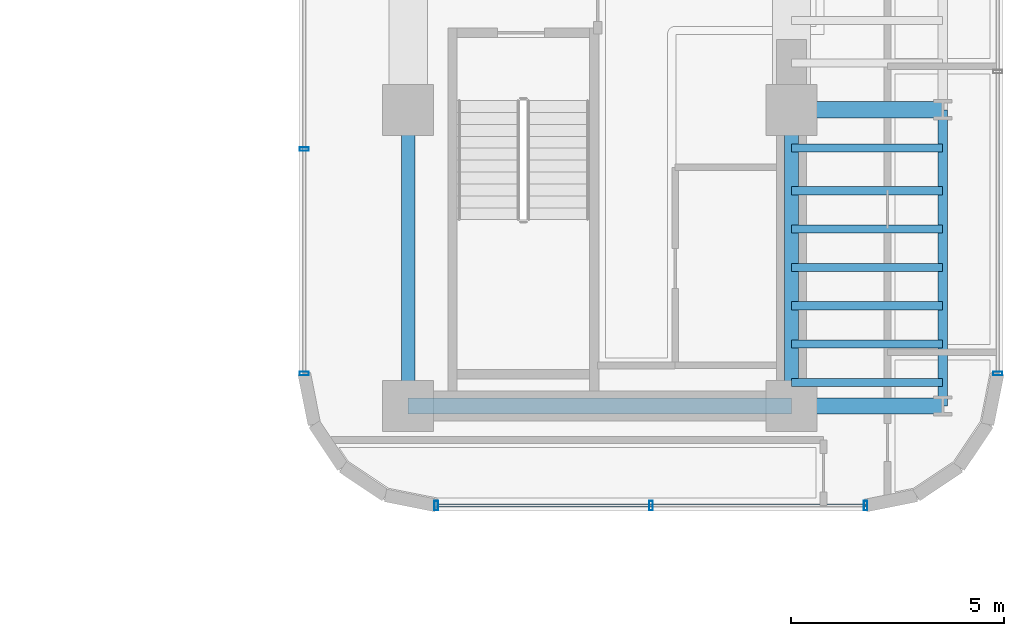
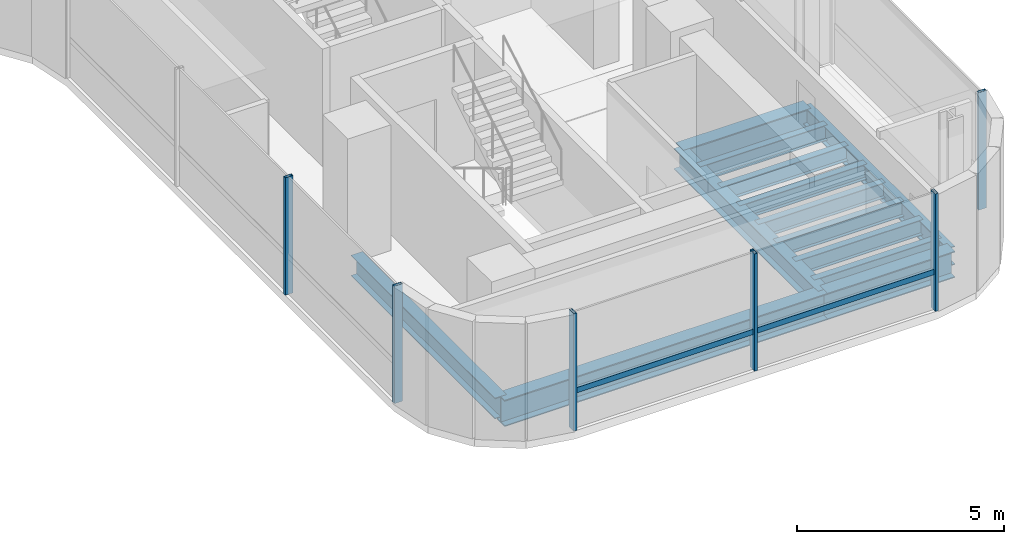
# One storey, part 11 of 35: 13 beams, 7 members, 3 elements without a shape of their own.
"""IFC4 building model written with IfcOpenShell, lengths in metres."""

import ifcopenshell
import ifcopenshell.guid

model = None  # the IFC model being written
_history = None  # IfcOwnerHistory: only IFC2X3 demands one
_inside = {}  # id of a spatial element -> (the spatial element, [elements in it])
_under = {}  # id of a project, library or spatial element -> (it, [spatial elements below it])
_declared = {}  # id of a project -> (the project, [libraries it declares])
_typed = {}  # id of a type object -> (the type object, [elements of that type])
_made_of = {}  # id of a material, layer set ... -> (it, [elements and type objects made of it])


def new_model(schema):
    """Start an empty IFC model of exactly this schema.

    Asked for "IFC4X3", IfcOpenShell would pick the latest addendum, in which some entities
    have other attributes; the version numbers below select the first issue.
    IFC2X3 requires an IfcOwnerHistory on every rooted entity: one is made here for all.
    """
    global model, _history
    if schema == "IFC4X3":
        model = ifcopenshell.file(schema_version=(4, 3, 0, 0))
    else:
        model = ifcopenshell.file(schema=schema)
    _inside.clear()
    _under.clear()
    _declared.clear()
    _typed.clear()
    _made_of.clear()
    _history = None
    if model.schema == "IFC2X3":
        org = make("IfcOrganization", Name="unknown")
        user = make(
            "IfcPersonAndOrganization",
            ThePerson=make("IfcPerson", FamilyName="unknown"),
            TheOrganization=org,
        )
        app = make(
            "IfcApplication",
            ApplicationDeveloper=org,
            Version="unknown",
            ApplicationFullName="unknown",
            ApplicationIdentifier="unknown",
        )
        _history = make(
            "IfcOwnerHistory",
            OwningUser=user,
            OwningApplication=app,
            ChangeAction="ADDED",
            CreationDate=0,
        )
    return model


def make(cls, **values):
    """One entity of the class cls with the attributes given. An attribute that is None is left unset."""
    return model.create_entity(
        cls, **{name: value for name, value in values.items() if value is not None}
    )


def rooted(cls, **values):
    """An entity with a GlobalId (a new one), such as an element, a storey or a relation."""
    return make(cls, GlobalId=ifcopenshell.guid.new(), OwnerHistory=_history, **values)


def si_unit(unit_type, name, prefix=None):
    """IfcSIUnit, for example si_unit("LENGTHUNIT", "METRE", prefix="MILLI")."""
    return make("IfcSIUnit", UnitType=unit_type, Prefix=prefix, Name=name)


def assignment(units):
    """IfcUnitAssignment: the units of a project."""
    return None if units is None else make("IfcUnitAssignment", Units=units)


def point(xyz):
    """IfcCartesianPoint."""
    return None if xyz is None else make("IfcCartesianPoint", Coordinates=xyz)


def direction(xyz):
    """IfcDirection."""
    return None if xyz is None else make("IfcDirection", DirectionRatios=xyz)


def frame(location, z_axis=None, x_axis=None):
    """IfcAxis2Placement3D, a coordinate frame: its origin and axes. An axis left out is left unset."""
    return make(
        "IfcAxis2Placement3D",
        Location=point(location),
        Axis=direction(z_axis),
        RefDirection=direction(x_axis),
    )


def frame_2d(location, x_axis=None):
    """IfcAxis2Placement2D, a coordinate frame in the plane: its origin and x axis."""
    return make(
        "IfcAxis2Placement2D", Location=point(location), RefDirection=direction(x_axis)
    )


def origin():
    """The frame at (0, 0, 0) with its axes left unset."""
    return frame((0.0, 0.0, 0.0))


def origin_2d():
    """The frame at (0, 0) in the plane with its x axis left unset."""
    return frame_2d((0.0, 0.0))


def place(relative_to, where):
    """IfcLocalPlacement: puts the frame where relative to a parent placement (None: the world)."""
    return make(
        "IfcLocalPlacement", PlacementRelTo=relative_to, RelativePlacement=where
    )


def context(
    kind, dimensions, precision=None, world=None, true_north=None, identifier=None
):
    """IfcGeometricRepresentationContext, for example the 3D "Model" context."""
    return make(
        "IfcGeometricRepresentationContext",
        ContextIdentifier=identifier,
        ContextType=kind,
        CoordinateSpaceDimension=dimensions,
        Precision=precision,
        WorldCoordinateSystem=world,
        TrueNorth=true_north,
    )


def subcontext(parent, identifier, kind, view, scale=None):
    """IfcGeometricRepresentationSubContext, for example "Body" below "Model"."""
    return make(
        "IfcGeometricRepresentationSubContext",
        ContextIdentifier=identifier,
        ContextType=kind,
        ParentContext=parent,
        TargetScale=scale,
        TargetView=view,
    )


def project(units=None, contexts=None):
    """IfcProject with its units and contexts."""
    return rooted(
        "IfcProject",
        Name="project",
        RepresentationContexts=contexts,
        UnitsInContext=assignment(units),
    )


def spatial(cls, under=None, at=None, **own):
    """A site, building, storey or space (cls), placed at a placement, below another one or the project."""
    s = rooted(cls, ObjectPlacement=at, **own)
    if under is not None:
        _under.setdefault(under.id(), (under, []))[1].append(s)
    return s


def profile(cls, at=None, kind="AREA", **sizes):
    """A parametric profile (cls). Its sizes go by their IFC names, for example OverallWidth=200.0."""
    return make(cls, ProfileType=kind, Position=at, **sizes)


def hollow_rectangle(**sizes):
    """IfcRectangleHollowProfileDef."""
    return profile("IfcRectangleHollowProfileDef", **sizes)


def i_section(**sizes):
    """IfcIShapeProfileDef."""
    return profile("IfcIShapeProfileDef", **sizes)


def extrude(swept, where, along, depth):
    """IfcExtrudedAreaSolid: the profile swept, set in the frame where, extruded along a direction by depth."""
    return make(
        "IfcExtrudedAreaSolid",
        SweptArea=swept,
        Position=where,
        ExtrudedDirection=direction(along),
        Depth=depth,
    )


def shape(context_of_items, identifier, shape_type, items):
    """IfcShapeRepresentation: the items that make up one representation, for example the "Body"."""
    return make(
        "IfcShapeRepresentation",
        ContextOfItems=context_of_items,
        RepresentationIdentifier=identifier,
        RepresentationType=shape_type,
        Items=items,
    )


def source(mapping_origin, context_of_items, identifier, shape_type, items):
    """IfcRepresentationMap: a shape defined once, which mapped items show again and again."""
    return make(
        "IfcRepresentationMap",
        MappingOrigin=mapping_origin,
        MappedRepresentation=shape(context_of_items, identifier, shape_type, items),
    )


def transform(
    local_origin,
    x_axis=None,
    y_axis=None,
    z_axis=None,
    scale=None,
    scale2=None,
    scale3=None,
    uniform=True,
):
    """IfcCartesianTransformationOperator3D, or its non-uniform kind. x_axis, y_axis, z_axis: its Axis1, 2, 3."""
    if uniform:
        return make(
            "IfcCartesianTransformationOperator3D",
            Axis1=direction(x_axis),
            Axis2=direction(y_axis),
            LocalOrigin=point(local_origin),
            Scale=scale,
            Axis3=direction(z_axis),
        )
    return make(
        "IfcCartesianTransformationOperator3DnonUniform",
        Axis1=direction(x_axis),
        Axis2=direction(y_axis),
        LocalOrigin=point(local_origin),
        Scale=scale,
        Axis3=direction(z_axis),
        Scale2=scale2,
        Scale3=scale3,
    )


def mapped(mapping_source, mapping_target):
    """IfcMappedItem: shows the shape of a source again, moved by a transform."""
    return make(
        "IfcMappedItem", MappingSource=mapping_source, MappingTarget=mapping_target
    )


def material(Name=None, Category=None):
    """IfcMaterial."""
    return make("IfcMaterial", Name=Name, Category=Category)


def material_profile(
    of_material, cross_section, Name=None, Category=None, Priority=None
):
    """IfcMaterialProfile: a cross section and its material."""
    return make(
        "IfcMaterialProfile",
        Name=Name,
        Material=of_material,
        Profile=cross_section,
        Priority=Priority,
        Category=Category,
    )


def profile_set(profiles, Name=None, composite=None):
    """IfcMaterialProfileSet."""
    return make(
        "IfcMaterialProfileSet",
        Name=Name,
        MaterialProfiles=profiles,
        CompositeProfile=composite,
    )


def made_of(thing, what):
    """Note that an element or type object is made of a material, layer set ...; save() writes the relation."""
    if what is not None:
        _made_of.setdefault(what.id(), (what, []))[1].append(thing)
    return thing


def type_object(cls, material=None, **own):
    """A type object (cls), such as IfcWallType, which elements share."""
    return made_of(rooted(cls, **own), material)


def element(
    cls,
    number,
    at=None,
    inside=None,
    cuts=None,
    type_object=None,
    material=None,
    context=None,
    identifier="Body",
    shape_type=None,
    held_by="IfcProductDefinitionShape",
    body=None,
    shapes=None,
    **own,
):
    """One element of the class cls, such as IfcWall. Its Tag is "e" and its number.

    at: its placement. inside: the storey or other place that contains it. cuts: it is an
    opening in that element (IfcRelVoidsElement). A single representation is given by context,
    identifier, shape_type and body (its items); several are given by shapes. held_by: the class
    of the entity that holds the representations. save() writes the other relations.
    """
    e = rooted(cls, Tag="e%d" % number, ObjectPlacement=at, **own)
    if body is not None:
        shapes = [shape(context, identifier, shape_type, body)]
    if shapes is not None:
        e.Representation = make(held_by, Representations=shapes)
    if inside is not None:
        _inside.setdefault(inside.id(), (inside, []))[1].append(e)
    if cuts is not None:
        rooted(
            "IfcRelVoidsElement", RelatingBuildingElement=cuts, RelatedOpeningElement=e
        )
    if type_object is not None:
        _typed.setdefault(type_object.id(), (type_object, []))[1].append(e)
    return made_of(e, material)


def aggregate(whole, parts):
    """IfcRelAggregates: a whole, such as a stair, and the parts it consists of."""
    return rooted("IfcRelAggregates", RelatingObject=whole, RelatedObjects=parts)


def save(model, path):
    """Write the relations noted so far, then the file.

    IfcRelAggregates (storeys below a building ...), IfcRelContainedInSpatialStructure (elements
    in a storey), IfcRelDefinesByType, IfcRelAssociatesMaterial and IfcRelDeclares: one each for
    every whole, place, type object, material and project.
    """
    for whole, parts in _under.values():
        aggregate(whole, parts)
    for where, things in _inside.values():
        rooted(
            "IfcRelContainedInSpatialStructure",
            RelatedElements=things,
            RelatingStructure=where,
        )
    for kind, things in _typed.values():
        rooted("IfcRelDefinesByType", RelatedObjects=things, RelatingType=kind)
    for what, things in _made_of.values():
        rooted("IfcRelAssociatesMaterial", RelatedObjects=things, RelatingMaterial=what)
    for by, libraries in _declared.values():
        rooted("IfcRelDeclares", RelatingContext=by, RelatedDefinitions=libraries)
    model.write(path)


model = new_model("IFC4")

# Units and contexts
model_context = context("Model", 3, precision=1e-05, world=origin(), true_north=direction((0.0, 1.0)))
body_context = subcontext(model_context, "Body", "Model", "MODEL_VIEW")
ifc_project = project(units=[si_unit("LENGTHUNIT", "METRE"), si_unit("AREAUNIT", "SQUARE_METRE"), si_unit("VOLUMEUNIT", "CUBIC_METRE"), si_unit("PLANEANGLEUNIT", "RADIAN"), si_unit("MASSUNIT", "GRAM", prefix="KILO")], contexts=[model_context])

# Site, building, storey
site_placement = place(None, origin())
site = spatial("IfcSite", under=ifc_project, at=site_placement, CompositionType="ELEMENT")
building_placement = place(site_placement, origin())
building = spatial("IfcBuilding", under=site, at=building_placement, Name="Valdorenza Pilgrim Sanctuary Tower", CompositionType="ELEMENT")
storey_placement = place(building_placement, frame((0.0, 0.0, 113.10009765625)))
storey = spatial("IfcBuildingStorey", under=building, at=storey_placement, Name="L28", CompositionType="ELEMENT", Elevation=113.10009765625)

# Beams
ifc_material_1 = material(Name="Steel ASTM A992 Grade 50", Category="steel")
ifc_material_profile_1 = material_profile(ifc_material_1, i_section(OverallWidth=0.323974609375, OverallDepth=0.611083984375, WebThickness=0.0126953125, FlangeThickness=0.01904296875, at=origin_2d()), Name="W24X104")
ifc_profile_set_1 = profile_set([ifc_material_profile_1], Name="Steel ASTM A992 Grade 50")
beam_type_1 = type_object("IfcBeamType", Name="STR-BM-GRD-W24B", PredefinedType="BEAM", material=ifc_profile_set_1)
shared_shape_1 = source(origin(), body_context, "Body", "SweptSolid", [
    extrude(i_section(OverallWidth=0.323974609375, OverallDepth=0.611083984375, WebThickness=0.0126953125, FlangeThickness=0.01904296875, at=origin_2d()), origin(), (0.0, 0.0, 1.0), 6.949951171875),
])
for number, where, z_axis, x_axis, name in (
    (1, (15.85009765625, -9.550048828125, -0.545654296875), (0.0, 1.0, 0.0), (-1.0, 0.0, 0.0), "L28 Core Tie Girder CB-W-S1M0"),
    (2, (24.85009765625, -9.550048828125, -0.545654296875), (0.0, 1.0, 0.0), (-1.0, 0.0, 0.0), "L28 Core Tie Girder CB-E-S1M0"),
):
    element("IfcBeam", number, at=place(storey_placement, frame(where, z_axis=z_axis, x_axis=x_axis)), inside=storey, type_object=beam_type_1, Name=name, PredefinedType="BEAM", context=body_context, shape_type="MappedRepresentation", body=[
        mapped(shared_shape_1, transform((0.0, 0.0, 0.0), x_axis=(1.0, 0.0, 0.0), y_axis=(0.0, 1.0, 0.0), z_axis=(0.0, 0.0, 1.0), scale=1.0)),
    ])
ifc_material_profile_2 = material_profile(ifc_material_1, i_section(OverallWidth=0.214111328125, OverallDepth=0.549072265625, WebThickness=0.0146484375, FlangeThickness=0.023681640625, at=origin_2d()), Name="W21X93")
ifc_profile_set_2 = profile_set([ifc_material_profile_2], Name="Steel ASTM A992 Grade 50")
beam_type_2 = type_object("IfcBeamType", Name="STR-BM-SPN-W21A", PredefinedType="SPANDREL", material=ifc_profile_set_2)
shared_shape_2 = source(origin(), body_context, "Body", "SweptSolid", [
    extrude(i_section(OverallWidth=0.214111328125, OverallDepth=0.549072265625, WebThickness=0.0146484375, FlangeThickness=0.023681640625, at=origin_2d()), origin(), (0.0, 0.0, 1.0), 6.949951171875),
])
beam_1_placement = place(storey_placement, frame((28.39990234375, -9.550048828125, -0.5146484375), z_axis=(0.0, 1.0, 0.0), x_axis=(-1.0, 0.0, 0.0)))
element("IfcBeam", 3, at=beam_1_placement, inside=storey, type_object=beam_type_2, Name="L28 Spandrel Beam WB-E-S1M0", PredefinedType="SPANDREL", context=body_context, shape_type="MappedRepresentation", body=[
    mapped(shared_shape_2, transform((0.0, 0.0, 0.0), x_axis=(1.0, 0.0, 0.0), y_axis=(0.0, 1.0, 0.0), z_axis=(0.0, 0.0, 1.0), scale=1.0)),
])
ifc_material_profile_3 = material_profile(ifc_material_1, i_section(OverallWidth=0.382080078125, OverallDepth=0.779052734375, WebThickness=0.01806640625, FlangeThickness=0.030029296875, at=origin_2d()), Name="W30X191")
ifc_profile_set_3 = profile_set([ifc_material_profile_3], Name="Steel ASTM A992 Grade 50")
beam_type_3 = type_object("IfcBeamType", Name="STR-BM-GRD-W30", PredefinedType="BEAM", material=ifc_profile_set_3)
shared_shape_3 = source(origin(), body_context, "Body", "SweptSolid", [
    extrude(i_section(OverallWidth=0.382080078125, OverallDepth=0.779052734375, WebThickness=0.01806640625, FlangeThickness=0.030029296875, at=origin_2d()), origin(), (0.0, 0.0, 1.0), 9.0),
])
beam_2_placement = place(storey_placement, frame((15.85009765625, -9.550048828125, -0.629638671875), z_axis=(1.0, 0.0, 0.0), x_axis=(0.0, 1.0, 0.0)))
element("IfcBeam", 4, at=beam_2_placement, inside=storey, type_object=beam_type_3, Name="L28 Floor Girder CB-XC-S1", PredefinedType="BEAM", context=body_context, shape_type="MappedRepresentation", body=[
    mapped(shared_shape_3, transform((0.0, 0.0, 0.0), x_axis=(1.0, 0.0, 0.0), y_axis=(0.0, 1.0, 0.0), z_axis=(0.0, 0.0, 1.0), scale=1.0)),
])
shared_shape_4 = source(origin(), body_context, "Body", "SweptSolid", [
    extrude(i_section(OverallWidth=0.382080078125, OverallDepth=0.779052734375, WebThickness=0.01806640625, FlangeThickness=0.030029296875, at=origin_2d()), origin(), (0.0, 0.0, 1.0), 3.5498046875),
])
for number, where, z_axis, x_axis, name in (
    (5, (24.85009765625, -9.550048828125, -0.629638671875), (1.0, 0.0, 0.0), (0.0, 1.0, 0.0), "L28 Floor Girder WB-XE-S1"),
    (6, (24.85009765625, -2.60009765625, -0.629638671875), (1.0, 0.0, 0.0), (0.0, 1.0, 0.0), "L28 Floor Girder WB-XE-M0"),
):
    element("IfcBeam", number, at=place(storey_placement, frame(where, z_axis=z_axis, x_axis=x_axis)), inside=storey, type_object=beam_type_3, Name=name, PredefinedType="BEAM", context=body_context, shape_type="MappedRepresentation", body=[
        mapped(shared_shape_4, transform((0.0, 0.0, 0.0), x_axis=(1.0, 0.0, 0.0), y_axis=(0.0, 1.0, 0.0), z_axis=(0.0, 0.0, 1.0), scale=1.0)),
    ])
ifc_material_profile_4 = material_profile(ifc_material_1, i_section(OverallWidth=0.19091796875, OverallDepth=0.45703125, WebThickness=0.009033203125, FlangeThickness=0.014404296875, at=origin_2d()), Name="W18X50")
ifc_profile_set_4 = profile_set([ifc_material_profile_4], Name="Steel ASTM A992 Grade 50")
beam_type_4 = type_object("IfcBeamType", Name="STR-BM-JST-W18B", PredefinedType="JOIST", material=ifc_profile_set_4)
shared_shape_5 = source(origin(), body_context, "Body", "SweptSolid", [
    extrude(i_section(OverallWidth=0.19091796875, OverallDepth=0.45703125, WebThickness=0.009033203125, FlangeThickness=0.014404296875, at=origin_2d()), origin(), (0.0, 0.0, 1.0), 3.5498046875),
])
for number, where, z_axis, x_axis, name in (
    (7, (24.85009765625, -9.0, -0.468505859375), (1.0, 0.0, 0.0), (0.0, 1.0, 0.0), "L28 Composite Floor Joist JST-WB-1"),
    (8, (24.85009765625, -8.10009765625, -0.468505859375), (1.0, 0.0, 0.0), (0.0, 1.0, 0.0), "L28 Composite Floor Joist JST-WB-2"),
    (9, (24.85009765625, -7.199951171875, -0.468505859375), (1.0, 0.0, 0.0), (0.0, 1.0, 0.0), "L28 Composite Floor Joist JST-WB-3"),
    (10, (24.85009765625, -6.300048828125, -0.468505859375), (1.0, 0.0, 0.0), (0.0, 1.0, 0.0), "L28 Composite Floor Joist JST-WB-4"),
    (11, (24.85009765625, -5.39990234375, -0.468505859375), (1.0, 0.0, 0.0), (0.0, 1.0, 0.0), "L28 Composite Floor Joist JST-WB-5"),
    (12, (24.85009765625, -4.5, -0.468505859375), (1.0, 0.0, 0.0), (0.0, 1.0, 0.0), "L28 Composite Floor Joist JST-WB-6"),
    (13, (24.85009765625, -3.5, -0.468505859375), (1.0, 0.0, 0.0), (0.0, 1.0, 0.0), "L28 Composite Floor Joist JST-WB-7"),
):
    element("IfcBeam", number, at=place(storey_placement, frame(where, z_axis=z_axis, x_axis=x_axis)), inside=storey, type_object=beam_type_4, Name=name, PredefinedType="JOIST", context=body_context, shape_type="MappedRepresentation", body=[
        mapped(shared_shape_5, transform((0.0, 0.0, 0.0), x_axis=(1.0, 0.0, 0.0), y_axis=(0.0, 1.0, 0.0), z_axis=(0.0, 0.0, 1.0), scale=1.0)),
    ])

# Curtain wall, member
ifc_material_2 = material(Name="Curtain-wall IGU glazing", Category="glass")
curtain_wall_type = type_object("IfcCurtainWallType", Name="CW-SYS-03", PredefinedType="NOTDEFINED", material=ifc_material_2)
curtain_wall_1_placement = place(storey_placement, origin())
curtain_wall_1 = element("IfcCurtainWall", 14, at=curtain_wall_1_placement, inside=storey, type_object=curtain_wall_type, Name="L28 Curtain Wall CW-L28-1-21", PredefinedType="NOTDEFINED")
ifc_material_3 = material(Name="Anodised aluminium AW-6060", Category="aluminium")
ifc_material_profile_5 = material_profile(ifc_material_3, hollow_rectangle(XDim=0.0849609375, YDim=0.219970703125, WallThickness=0.0048828125, at=origin_2d()), Name="ALU-M 220x85x5")
ifc_profile_set_5 = profile_set([ifc_material_profile_5], Name="Anodised aluminium AW-6060")
member_type_1 = type_object("IfcMemberType", Name="CW-MUL-03", PredefinedType="MULLION", material=ifc_profile_set_5)
shared_shape_6 = source(origin(), body_context, "Body", "SweptSolid", [
    extrude(hollow_rectangle(XDim=0.0849609375, YDim=0.219970703125, WallThickness=0.0048828125, at=origin_2d()), origin(), (0.0, 0.0, 1.0), 3.4599609375),
])
member_1_placement = place(storey_placement, frame((29.68994140625, -8.789306640625, 0.0), z_axis=(0.0, 0.0, 1.0), x_axis=(0.0, -1.0, 0.0)))
member_1 = element("IfcMember", 15, at=member_1_placement, type_object=member_type_1, Name="CW-L28-1-21 Mullion 4", PredefinedType="MULLION", context=body_context, shape_type="MappedRepresentation", body=[
    mapped(shared_shape_6, transform((0.0, 0.0, 0.0), x_axis=(1.0, 0.0, 0.0), y_axis=(0.0, 1.0, 0.0), z_axis=(0.0, 0.0, 1.0), scale=1.0)),
])
aggregate(curtain_wall_1, [member_1])

# Curtain wall, members
curtain_wall_2_placement = place(storey_placement, origin())
curtain_wall_2 = element("IfcCurtainWall", 16, at=curtain_wall_2_placement, inside=storey, type_object=curtain_wall_type, Name="L28 Curtain Wall CW-L28-1-26", PredefinedType="NOTDEFINED")
member_2_placement = place(storey_placement, frame((26.589111328125, -11.889892578125, 0.0), z_axis=(0.0, 0.0, 1.0), x_axis=(-1.0, 0.0, 0.0)))
member_2 = element("IfcMember", 17, at=member_2_placement, type_object=member_type_1, Name="CW-L28-1-26 Mullion 1", PredefinedType="MULLION", context=body_context, shape_type="MappedRepresentation", body=[
    mapped(shared_shape_6, transform((0.0, 0.0, 0.0), x_axis=(1.0, 0.0, 0.0), y_axis=(0.0, 1.0, 0.0), z_axis=(0.0, 0.0, 1.0), scale=1.0)),
])
member_3_placement = place(storey_placement, frame((21.550048828125, -11.889892578125, 0.0), z_axis=(0.0, 0.0, 1.0), x_axis=(-1.0, 0.0, 0.0)))
member_3 = element("IfcMember", 18, at=member_3_placement, type_object=member_type_1, Name="CW-L28-1-26 Mullion 2", PredefinedType="MULLION", context=body_context, shape_type="MappedRepresentation", body=[
    mapped(shared_shape_6, transform((0.0, 0.0, 0.0), x_axis=(1.0, 0.0, 0.0), y_axis=(0.0, 1.0, 0.0), z_axis=(0.0, 0.0, 1.0), scale=1.0)),
])
member_4_placement = place(storey_placement, frame((16.5107421875, -11.889892578125, 0.0), z_axis=(0.0, 0.0, 1.0), x_axis=(-1.0, 0.0, 0.0)))
member_4 = element("IfcMember", 19, at=member_4_placement, type_object=member_type_1, Name="CW-L28-1-26 Mullion 3", PredefinedType="MULLION", context=body_context, shape_type="MappedRepresentation", body=[
    mapped(shared_shape_6, transform((0.0, 0.0, 0.0), x_axis=(1.0, 0.0, 0.0), y_axis=(0.0, 1.0, 0.0), z_axis=(0.0, 0.0, 1.0), scale=1.0)),
])

curtain_wall_3_placement = place(storey_placement, origin())
curtain_wall_3 = element("IfcCurtainWall", 20, at=curtain_wall_3_placement, inside=storey, type_object=curtain_wall_type, Name="L28 Curtain Wall CW-L28-1-31", PredefinedType="NOTDEFINED")
member_5_placement = place(storey_placement, frame((13.409912109375, -8.789306640625, 0.0), z_axis=(0.0, 0.0, 1.0), x_axis=(0.0, 1.0, 0.0)))
member_5 = element("IfcMember", 21, at=member_5_placement, type_object=member_type_1, Name="CW-L28-1-31 Mullion 1", PredefinedType="MULLION", context=body_context, shape_type="MappedRepresentation", body=[
    mapped(shared_shape_6, transform((0.0, 0.0, 0.0), x_axis=(1.0, 0.0, 0.0), y_axis=(0.0, 1.0, 0.0), z_axis=(0.0, 0.0, 1.0), scale=1.0)),
])
member_6_placement = place(storey_placement, frame((13.409912109375, -3.5224609375, 0.0), z_axis=(0.0, 0.0, 1.0), x_axis=(0.0, 1.0, 0.0)))
member_6 = element("IfcMember", 22, at=member_6_placement, type_object=member_type_1, Name="CW-L28-1-31 Mullion 2", PredefinedType="MULLION", context=body_context, shape_type="MappedRepresentation", body=[
    mapped(shared_shape_6, transform((0.0, 0.0, 0.0), x_axis=(1.0, 0.0, 0.0), y_axis=(0.0, 1.0, 0.0), z_axis=(0.0, 0.0, 1.0), scale=1.0)),
])
aggregate(curtain_wall_3, [member_5, member_6])

# Member
ifc_material_profile_6 = material_profile(ifc_material_3, hollow_rectangle(XDim=0.074951171875, YDim=0.159912109375, WallThickness=0.00390625, at=origin_2d()), Name="ALU-T 160x75x4")
ifc_profile_set_6 = profile_set([ifc_material_profile_6], Name="Anodised aluminium AW-6060")
member_type_2 = type_object("IfcMemberType", Name="CW-TRN-03", PredefinedType="USERDEFINED", material=ifc_profile_set_6)
shared_shape_7 = source(origin(), body_context, "Body", "SweptSolid", [
    extrude(hollow_rectangle(XDim=0.074951171875, YDim=0.159912109375, WallThickness=0.00390625, at=origin_2d()), origin(), (0.0, 0.0, 1.0), 10.078369140625),
])
member_7_placement = place(storey_placement, frame((26.589111328125, -11.889892578125, 1.119873046875), z_axis=(-1.0, 0.0, 0.0), x_axis=(0.0, -1.0, 0.0)))
member_7 = element("IfcMember", 23, at=member_7_placement, type_object=member_type_2, Name="CW-L28-1-26 Transom 1", ObjectType="TRANSOM", PredefinedType="USERDEFINED", context=body_context, shape_type="MappedRepresentation", body=[
    mapped(shared_shape_7, transform((0.0, 0.0, 0.0), x_axis=(1.0, 0.0, 0.0), y_axis=(0.0, 1.0, 0.0), z_axis=(0.0, 0.0, 1.0), scale=1.0)),
])

aggregate(curtain_wall_2, [member_2, member_3, member_4, member_7])

save(model, "model.ifc")
